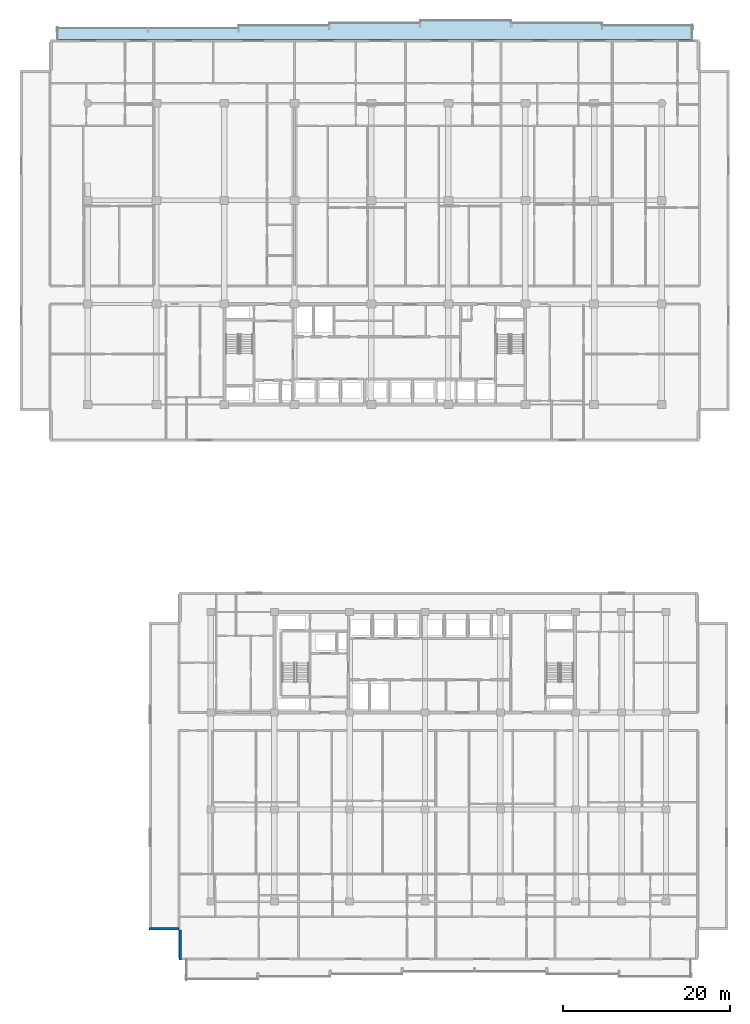
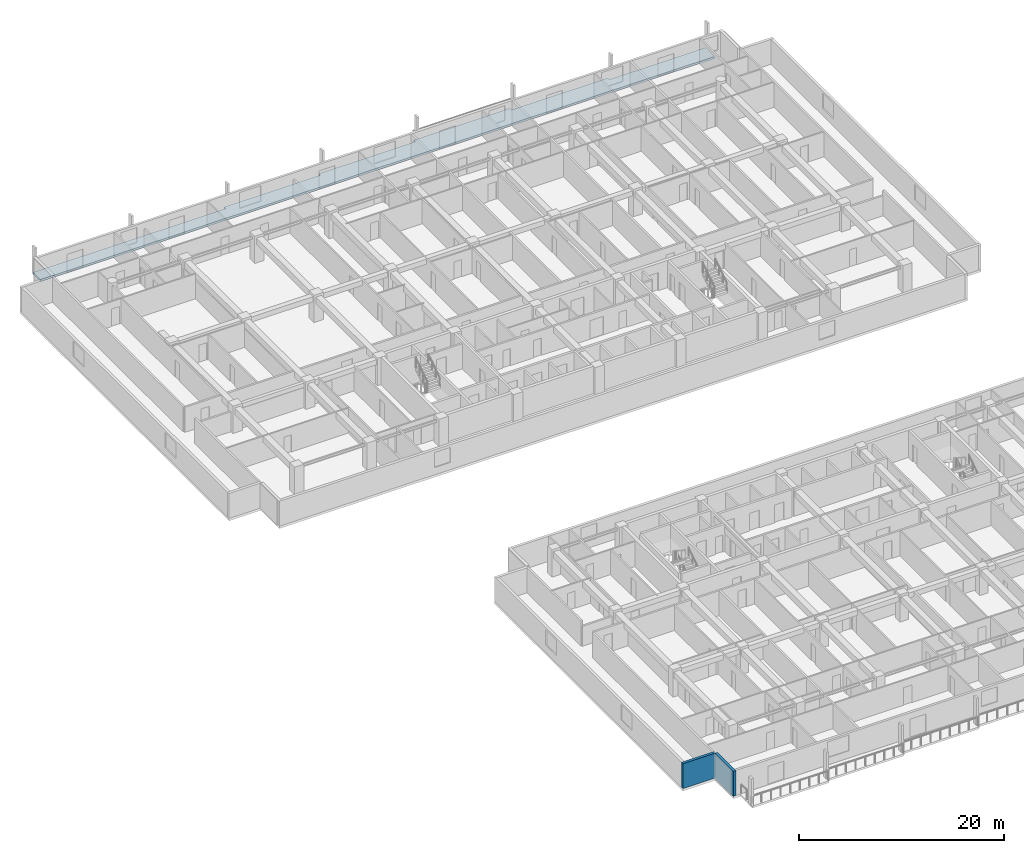
# One storey, part 3 of 23: 2 walls, 1 slab.
"""IFC4 building model written with IfcOpenShell, lengths in metres."""

import ifcopenshell
import ifcopenshell.guid

model = None  # the IFC model being written
_history = None  # IfcOwnerHistory: only IFC2X3 demands one
_inside = {}  # id of a spatial element -> (the spatial element, [elements in it])
_under = {}  # id of a project, library or spatial element -> (it, [spatial elements below it])
_declared = {}  # id of a project -> (the project, [libraries it declares])
_typed = {}  # id of a type object -> (the type object, [elements of that type])
_made_of = {}  # id of a material, layer set ... -> (it, [elements and type objects made of it])


def new_model(schema):
    """Start an empty IFC model of exactly this schema.

    Asked for "IFC4X3", IfcOpenShell would pick the latest addendum, in which some entities
    have other attributes; the version numbers below select the first issue.
    IFC2X3 requires an IfcOwnerHistory on every rooted entity: one is made here for all.
    """
    global model, _history
    if schema == "IFC4X3":
        model = ifcopenshell.file(schema_version=(4, 3, 0, 0))
    else:
        model = ifcopenshell.file(schema=schema)
    _inside.clear()
    _under.clear()
    _declared.clear()
    _typed.clear()
    _made_of.clear()
    _history = None
    if model.schema == "IFC2X3":
        org = make("IfcOrganization", Name="unknown")
        user = make(
            "IfcPersonAndOrganization",
            ThePerson=make("IfcPerson", FamilyName="unknown"),
            TheOrganization=org,
        )
        app = make(
            "IfcApplication",
            ApplicationDeveloper=org,
            Version="unknown",
            ApplicationFullName="unknown",
            ApplicationIdentifier="unknown",
        )
        _history = make(
            "IfcOwnerHistory",
            OwningUser=user,
            OwningApplication=app,
            ChangeAction="ADDED",
            CreationDate=0,
        )
    return model


def make(cls, **values):
    """One entity of the class cls with the attributes given. An attribute that is None is left unset."""
    return model.create_entity(
        cls, **{name: value for name, value in values.items() if value is not None}
    )


def rooted(cls, **values):
    """An entity with a GlobalId (a new one), such as an element, a storey or a relation."""
    return make(cls, GlobalId=ifcopenshell.guid.new(), OwnerHistory=_history, **values)


def si_unit(unit_type, name, prefix=None):
    """IfcSIUnit, for example si_unit("LENGTHUNIT", "METRE", prefix="MILLI")."""
    return make("IfcSIUnit", UnitType=unit_type, Prefix=prefix, Name=name)


def assignment(units):
    """IfcUnitAssignment: the units of a project."""
    return None if units is None else make("IfcUnitAssignment", Units=units)


def point(xyz):
    """IfcCartesianPoint."""
    return None if xyz is None else make("IfcCartesianPoint", Coordinates=xyz)


def direction(xyz):
    """IfcDirection."""
    return None if xyz is None else make("IfcDirection", DirectionRatios=xyz)


def frame(location, z_axis=None, x_axis=None):
    """IfcAxis2Placement3D, a coordinate frame: its origin and axes. An axis left out is left unset."""
    return make(
        "IfcAxis2Placement3D",
        Location=point(location),
        Axis=direction(z_axis),
        RefDirection=direction(x_axis),
    )


def frame_2d(location, x_axis=None):
    """IfcAxis2Placement2D, a coordinate frame in the plane: its origin and x axis."""
    return make(
        "IfcAxis2Placement2D", Location=point(location), RefDirection=direction(x_axis)
    )


def origin():
    """The frame at (0, 0, 0) with its axes left unset."""
    return frame((0.0, 0.0, 0.0))


def place(relative_to, where):
    """IfcLocalPlacement: puts the frame where relative to a parent placement (None: the world)."""
    return make(
        "IfcLocalPlacement", PlacementRelTo=relative_to, RelativePlacement=where
    )


def context(
    kind, dimensions, precision=None, world=None, true_north=None, identifier=None
):
    """IfcGeometricRepresentationContext, for example the 3D "Model" context."""
    return make(
        "IfcGeometricRepresentationContext",
        ContextIdentifier=identifier,
        ContextType=kind,
        CoordinateSpaceDimension=dimensions,
        Precision=precision,
        WorldCoordinateSystem=world,
        TrueNorth=true_north,
    )


def subcontext(parent, identifier, kind, view, scale=None):
    """IfcGeometricRepresentationSubContext, for example "Body" below "Model"."""
    return make(
        "IfcGeometricRepresentationSubContext",
        ContextIdentifier=identifier,
        ContextType=kind,
        ParentContext=parent,
        TargetScale=scale,
        TargetView=view,
    )


def project(units=None, contexts=None):
    """IfcProject with its units and contexts."""
    return rooted(
        "IfcProject",
        Name="project",
        RepresentationContexts=contexts,
        UnitsInContext=assignment(units),
    )


def spatial(cls, under=None, at=None, **own):
    """A site, building, storey or space (cls), placed at a placement, below another one or the project."""
    s = rooted(cls, ObjectPlacement=at, **own)
    if under is not None:
        _under.setdefault(under.id(), (under, []))[1].append(s)
    return s


def polyline(points):
    """IfcPolyline through the points."""
    return make("IfcPolyline", Points=[point(p) for p in points])


def profile(cls, at=None, kind="AREA", **sizes):
    """A parametric profile (cls). Its sizes go by their IFC names, for example OverallWidth=200.0."""
    return make(cls, ProfileType=kind, Position=at, **sizes)


def rectangle(**sizes):
    """IfcRectangleProfileDef."""
    return profile("IfcRectangleProfileDef", **sizes)


def outline(outer, holes=None, kind="AREA"):
    """IfcArbitraryClosedProfileDef: a profile drawn as a closed curve; with holes, ...WithVoids."""
    if holes is None:
        return make("IfcArbitraryClosedProfileDef", ProfileType=kind, OuterCurve=outer)
    return make(
        "IfcArbitraryProfileDefWithVoids",
        ProfileType=kind,
        OuterCurve=outer,
        InnerCurves=holes,
    )


def extrude(swept, where, along, depth):
    """IfcExtrudedAreaSolid: the profile swept, set in the frame where, extruded along a direction by depth."""
    return make(
        "IfcExtrudedAreaSolid",
        SweptArea=swept,
        Position=where,
        ExtrudedDirection=direction(along),
        Depth=depth,
    )


def shape(context_of_items, identifier, shape_type, items):
    """IfcShapeRepresentation: the items that make up one representation, for example the "Body"."""
    return make(
        "IfcShapeRepresentation",
        ContextOfItems=context_of_items,
        RepresentationIdentifier=identifier,
        RepresentationType=shape_type,
        Items=items,
    )


def material(Name=None, Category=None):
    """IfcMaterial."""
    return make("IfcMaterial", Name=Name, Category=Category)


def layer(
    of_material, thickness, ventilated=None, Name=None, Category=None, Priority=None
):
    """IfcMaterialLayer: one layer of a wall or slab, of a material (None: an air gap)."""
    return make(
        "IfcMaterialLayer",
        Material=of_material,
        LayerThickness=thickness,
        IsVentilated=ventilated,
        Name=Name,
        Category=Category,
        Priority=Priority,
    )


def layer_set(layers, Name=None):
    """IfcMaterialLayerSet."""
    return make("IfcMaterialLayerSet", MaterialLayers=layers, LayerSetName=Name)


def made_of(thing, what):
    """Note that an element or type object is made of a material, layer set ...; save() writes the relation."""
    if what is not None:
        _made_of.setdefault(what.id(), (what, []))[1].append(thing)
    return thing


def type_object(cls, material=None, **own):
    """A type object (cls), such as IfcWallType, which elements share."""
    return made_of(rooted(cls, **own), material)


def element(
    cls,
    number,
    at=None,
    inside=None,
    cuts=None,
    type_object=None,
    material=None,
    context=None,
    identifier="Body",
    shape_type=None,
    held_by="IfcProductDefinitionShape",
    body=None,
    shapes=None,
    **own,
):
    """One element of the class cls, such as IfcWall. Its Tag is "e" and its number.

    at: its placement. inside: the storey or other place that contains it. cuts: it is an
    opening in that element (IfcRelVoidsElement). A single representation is given by context,
    identifier, shape_type and body (its items); several are given by shapes. held_by: the class
    of the entity that holds the representations. save() writes the other relations.
    """
    e = rooted(cls, Tag="e%d" % number, ObjectPlacement=at, **own)
    if body is not None:
        shapes = [shape(context, identifier, shape_type, body)]
    if shapes is not None:
        e.Representation = make(held_by, Representations=shapes)
    if inside is not None:
        _inside.setdefault(inside.id(), (inside, []))[1].append(e)
    if cuts is not None:
        rooted(
            "IfcRelVoidsElement", RelatingBuildingElement=cuts, RelatedOpeningElement=e
        )
    if type_object is not None:
        _typed.setdefault(type_object.id(), (type_object, []))[1].append(e)
    return made_of(e, material)


def aggregate(whole, parts):
    """IfcRelAggregates: a whole, such as a stair, and the parts it consists of."""
    return rooted("IfcRelAggregates", RelatingObject=whole, RelatedObjects=parts)


def save(model, path):
    """Write the relations noted so far, then the file.

    IfcRelAggregates (storeys below a building ...), IfcRelContainedInSpatialStructure (elements
    in a storey), IfcRelDefinesByType, IfcRelAssociatesMaterial and IfcRelDeclares: one each for
    every whole, place, type object, material and project.
    """
    for whole, parts in _under.values():
        aggregate(whole, parts)
    for where, things in _inside.values():
        rooted(
            "IfcRelContainedInSpatialStructure",
            RelatedElements=things,
            RelatingStructure=where,
        )
    for kind, things in _typed.values():
        rooted("IfcRelDefinesByType", RelatedObjects=things, RelatingType=kind)
    for what, things in _made_of.values():
        rooted("IfcRelAssociatesMaterial", RelatedObjects=things, RelatingMaterial=what)
    for by, libraries in _declared.values():
        rooted("IfcRelDeclares", RelatingContext=by, RelatedDefinitions=libraries)
    model.write(path)


model = new_model("IFC4")

# Units and contexts
model_context = context("Model", 3, precision=1e-05, world=origin(), true_north=direction((0.0, 1.0)))
body_context = subcontext(model_context, "Body", "Model", "MODEL_VIEW")
ifc_project = project(units=[si_unit("LENGTHUNIT", "METRE"), si_unit("AREAUNIT", "SQUARE_METRE"), si_unit("VOLUMEUNIT", "CUBIC_METRE"), si_unit("PLANEANGLEUNIT", "RADIAN"), si_unit("MASSUNIT", "GRAM", prefix="KILO")], contexts=[model_context])

# Site, building, storey
site_placement = place(None, origin())
site = spatial("IfcSite", under=ifc_project, at=site_placement, CompositionType="ELEMENT")
building_placement = place(site_placement, origin())
building = spatial("IfcBuilding", under=site, at=building_placement, Name="Korimba Cascade Residences", CompositionType="ELEMENT")
storey_placement = place(building_placement, frame((0.0, 0.0, 33.75)))
storey = spatial("IfcBuildingStorey", under=building, at=storey_placement, Name="L08", CompositionType="ELEMENT", Elevation=33.75)

# Slab
ifc_material = material(Name="Precast concrete C40/50", Category="concrete")
ifc_layer_1 = layer(ifc_material, 0.239990234375)
ifc_layer_set_1 = layer_set([ifc_layer_1], Name="Precast concrete C40/50")
slab_type = type_object("IfcSlabType", Name="SLB-LOG-240", PredefinedType="FLOOR", material=ifc_layer_set_1)
slab_placement = place(storey_placement, frame((0.0, 0.0, -0.239990234375)))
element("IfcSlab", 1, at=slab_placement, inside=storey, type_object=slab_type, Name="L08 Tower 1 North Loggia Slab", PredefinedType="FLOOR", context=body_context, shape_type="SweptSolid", body=[
    extrude(outline(polyline([(56.10009765625, 98.800048828125), (132.10009765625, 98.800048828125), (132.10009765625, 100.550048828125), (121.242919921875, 100.550048828125), (121.242919921875, 100.85009765625), (110.3857421875, 100.85009765625), (110.3857421875, 101.14990234375), (99.528564453125, 101.14990234375), (99.528564453125, 100.85009765625), (88.67138671875, 100.85009765625), (88.67138671875, 100.550048828125), (77.814208984375, 100.550048828125), (77.814208984375, 100.25), (56.10009765625, 100.25), (56.10009765625, 98.800048828125)])), origin(), (0.0, 0.0, 1.0), 0.239990234375),
])

# Walls
ifc_layer_2 = layer(ifc_material, 0.300048828125)
ifc_layer_set_2 = layer_set([ifc_layer_2], Name="Precast concrete C40/50")
wall_type = type_object("IfcWallType", Name="EW-STONE-300", PredefinedType="STANDARD", material=ifc_layer_set_2)
for number, where, z_axis, x_axis, name in (
    (2, (67.10009765625, -7.449951171875, 0.0), (0.0, 0.0, 1.0), (1.0, 0.0, 0.0), "L08 T2 Perimeter Stone Wall E10"),
    (3, (70.85009765625, -7.60009765625, 0.0), (0.0, 0.0, 1.0), (0.0, -1.0, 0.0), "L08 T2 Perimeter Stone Wall E11"),
):
    element("IfcWall", number, at=place(storey_placement, frame(where, z_axis=z_axis, x_axis=x_axis)), inside=storey, type_object=wall_type, Name=name, PredefinedType="STANDARD", context=body_context, shape_type="SweptSolid", body=[
        extrude(rectangle(XDim=3.599853515625, YDim=0.300048828125, at=frame_2d((1.7998046875, 0.0))), origin(), (0.0, 0.0, 1.0), 2.969970703125),
    ])

save(model, "model.ifc")
